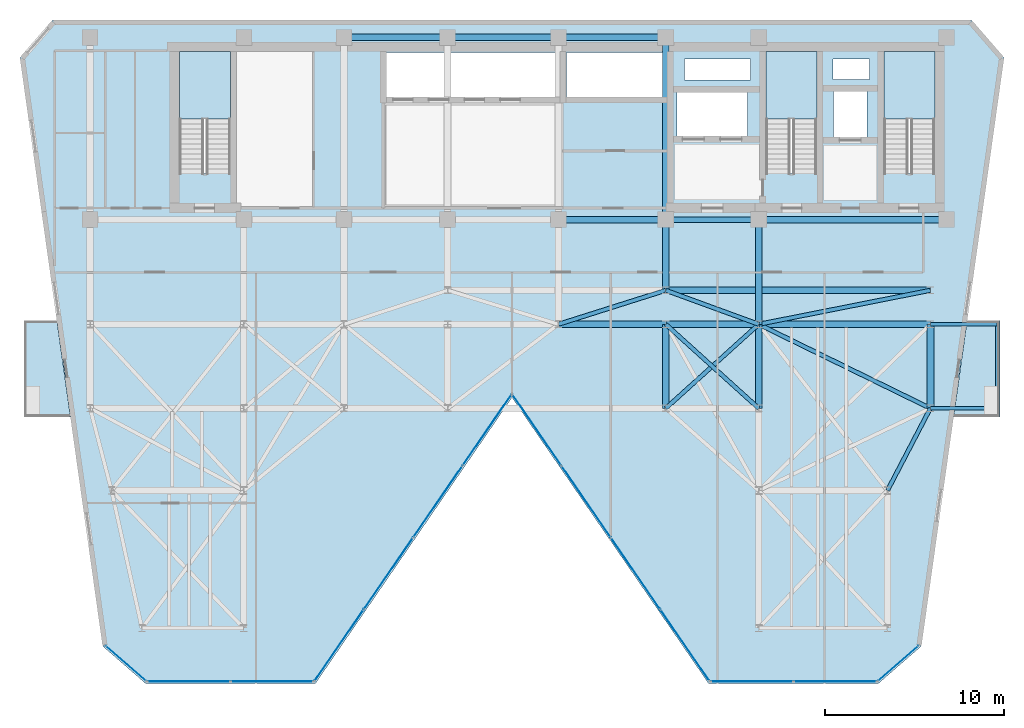
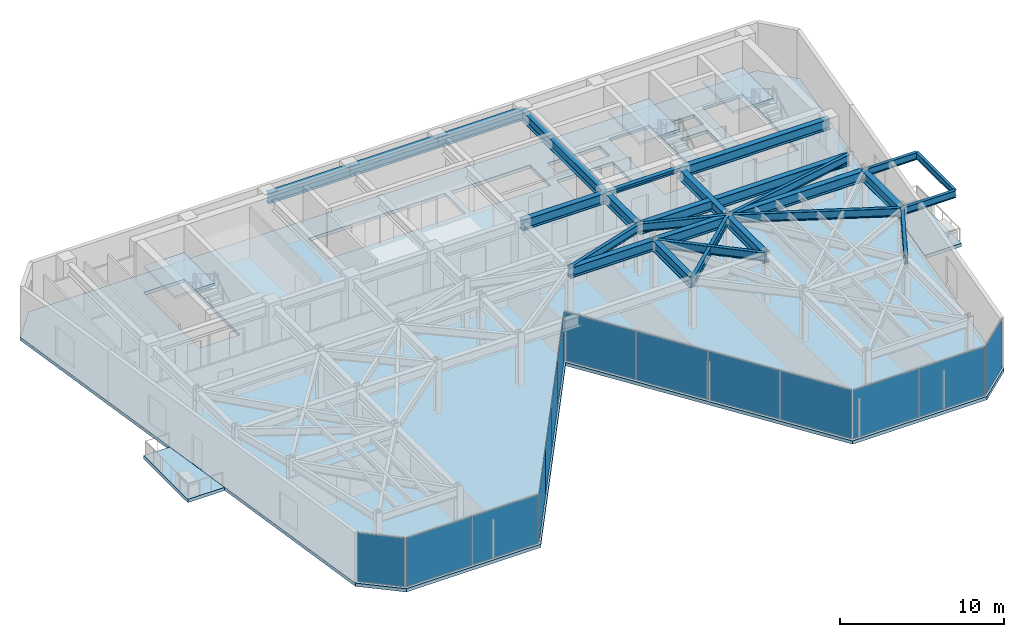
# One storey, part 15 of 21: 26 beams, 14 plates, 6 slabs, 9 elements without a shape of their own.
"""IFC4 building model written with IfcOpenShell, lengths in metres."""

from ifc_helpers import new_model, si_unit, direction, frame, origin, origin_2d, place, context, subcontext, project, spatial, polyline, rectangle, i_section, outline, extrude, material, layer, layer_set, material_profile, profile_set, type_object, element, aggregate, save


model = new_model("IFC4")

# Units and contexts
model_context = context("Model", 3, precision=1e-05, world=origin(), true_north=direction((0.0, 1.0)))
body_context = subcontext(model_context, "Body", "Model", "MODEL_VIEW")
ifc_project = project(units=[si_unit("LENGTHUNIT", "METRE"), si_unit("AREAUNIT", "SQUARE_METRE"), si_unit("VOLUMEUNIT", "CUBIC_METRE"), si_unit("PLANEANGLEUNIT", "RADIAN"), si_unit("MASSUNIT", "GRAM", prefix="KILO")], contexts=[model_context])

# Site, building, storey
site_placement = place(None, origin())
site = spatial("IfcSite", under=ifc_project, at=site_placement, CompositionType="ELEMENT")
building_placement = place(site_placement, origin())
building = spatial("IfcBuilding", under=site, at=building_placement, Name="Kravanh Interchange Tower", CompositionType="ELEMENT")
storey_placement = place(building_placement, frame((0.0, 0.0, 176.5)))
storey = spatial("IfcBuildingStorey", under=building, at=storey_placement, Name="L42", CompositionType="ELEMENT", Elevation=176.5)

# Beams
ifc_material_1 = material(Name="Structural Steel S355", Category="steel")
ifc_material_profile_1 = material_profile(ifc_material_1, i_section(OverallWidth=0.381103515625, OverallDepth=0.77294921875, WebThickness=0.0166015625, FlangeThickness=0.027099609375, FilletRadius=0.02490234375, at=origin_2d()), Name="W30X173")
ifc_profile_set_1 = profile_set([ifc_material_profile_1], Name="Structural Steel S355")
beam_type_1 = type_object("IfcBeamType", Name="Floor Beam W30X173 Structural Steel S355", PredefinedType="BEAM", material=ifc_profile_set_1)
beam_1_placement = place(storey_placement, frame((66.5, 37.35009765625, 3.368408203125), z_axis=(-1.0, 0.0, 0.0), x_axis=(0.0, -1.0, 0.0)))
element("IfcBeam", 1, at=beam_1_placement, inside=storey, type_object=beam_type_1, Name="L42 Primary Floor Girder 5", PredefinedType="BEAM", context=body_context, shape_type="SweptSolid", body=[
    extrude(i_section(OverallWidth=0.381103515625, OverallDepth=0.77294921875, WebThickness=0.0166015625, FlangeThickness=0.027099609375, FilletRadius=0.02490234375, at=origin_2d()), origin(), (0.0, 0.0, 1.0), 10.5),
])
beam_2_placement = place(storey_placement, frame((56.0, 37.35009765625, 3.368408203125), z_axis=(0.0, -1.0, 0.0), x_axis=(1.0, 0.0, 0.0)))
element("IfcBeam", 2, at=beam_2_placement, inside=storey, type_object=beam_type_1, Name="L42 Primary Floor Girder 7", PredefinedType="BEAM", context=body_context, shape_type="SweptSolid", body=[
    extrude(i_section(OverallWidth=0.381103515625, OverallDepth=0.77294921875, WebThickness=0.0166015625, FlangeThickness=0.027099609375, FilletRadius=0.02490234375, at=origin_2d()), origin(), (0.0, 0.0, 1.0), 5.85009765625),
])
beam_3_placement = place(storey_placement, frame((50.800048828125, 47.550048828125, 3.368408203125), z_axis=(-1.0, 0.0, 0.0), x_axis=(0.0, -1.0, 0.0)))
element("IfcBeam", 3, at=beam_3_placement, inside=storey, type_object=beam_type_1, Name="L42 Primary Floor Girder 8", PredefinedType="BEAM", context=body_context, shape_type="SweptSolid", body=[
    extrude(i_section(OverallWidth=0.381103515625, OverallDepth=0.77294921875, WebThickness=0.0166015625, FlangeThickness=0.027099609375, FilletRadius=0.02490234375, at=origin_2d()), origin(), (0.0, 0.0, 1.0), 6.0),
])
beam_4_placement = place(storey_placement, frame((50.800048828125, 47.550048828125, 3.368408203125), z_axis=(0.0, -1.0, 0.0), x_axis=(1.0, 0.0, 0.0)))
element("IfcBeam", 4, at=beam_4_placement, inside=storey, type_object=beam_type_1, Name="L42 Primary Floor Girder 9", PredefinedType="BEAM", context=body_context, shape_type="SweptSolid", body=[
    extrude(i_section(OverallWidth=0.381103515625, OverallDepth=0.77294921875, WebThickness=0.0166015625, FlangeThickness=0.027099609375, FilletRadius=0.02490234375, at=origin_2d()), origin(), (0.0, 0.0, 1.0), 10.199951171875),
])
beam_5_placement = place(storey_placement, frame((50.800048828125, 37.35009765625, 3.368408203125), z_axis=(0.0, -1.0, 0.0), x_axis=(1.0, 0.0, 0.0)))
element("IfcBeam", 5, at=beam_5_placement, inside=storey, type_object=beam_type_1, Name="L42 Primary Floor Girder 10", PredefinedType="BEAM", context=body_context, shape_type="SweptSolid", body=[
    extrude(i_section(OverallWidth=0.381103515625, OverallDepth=0.77294921875, WebThickness=0.0166015625, FlangeThickness=0.027099609375, FilletRadius=0.02490234375, at=origin_2d()), origin(), (0.0, 0.0, 1.0), 3.9501953125),
])
beam_6_placement = place(storey_placement, frame((50.800048828125, 37.35009765625, 3.368408203125), z_axis=(-1.0, 0.0, 0.0), x_axis=(0.0, -1.0, 0.0)))
element("IfcBeam", 6, at=beam_6_placement, inside=storey, type_object=beam_type_1, Name="L42 Primary Floor Girder 11", PredefinedType="BEAM", context=body_context, shape_type="SweptSolid", body=[
    extrude(i_section(OverallWidth=0.381103515625, OverallDepth=0.77294921875, WebThickness=0.0166015625, FlangeThickness=0.027099609375, FilletRadius=0.02490234375, at=origin_2d()), origin(), (0.0, 0.0, 1.0), 6.0),
])
beam_7_placement = place(storey_placement, frame((44.800048828125, 47.550048828125, 3.368408203125), z_axis=(-1.0, 0.0, 0.0), x_axis=(0.0, -1.0, 0.0)))
element("IfcBeam", 7, at=beam_7_placement, inside=storey, type_object=beam_type_1, Name="L42 Primary Floor Girder 15", PredefinedType="BEAM", context=body_context, shape_type="SweptSolid", body=[
    extrude(i_section(OverallWidth=0.381103515625, OverallDepth=0.77294921875, WebThickness=0.0166015625, FlangeThickness=0.027099609375, FilletRadius=0.02490234375, at=origin_2d()), origin(), (0.0, 0.0, 1.0), 6.199951171875),
])
beam_8_placement = place(storey_placement, frame((38.60009765625, 47.550048828125, 3.368408203125), z_axis=(-1.0, 0.0, 0.0), x_axis=(0.0, -1.0, 0.0)))
element("IfcBeam", 8, at=beam_8_placement, inside=storey, type_object=beam_type_1, Name="L42 Primary Floor Girder 19", PredefinedType="BEAM", context=body_context, shape_type="SweptSolid", body=[
    extrude(i_section(OverallWidth=0.381103515625, OverallDepth=0.77294921875, WebThickness=0.0166015625, FlangeThickness=0.027099609375, FilletRadius=0.02490234375, at=origin_2d()), origin(), (0.0, 0.0, 1.0), 5.800048828125),
])
for number, where, z_axis, x_axis, name in (
    (9, (50.800048828125, 26.800048828125, 3.368408203125), (0.0, 1.0, 0.0), (-1.0, 0.0, 0.0), "L42 Primary Floor Girder 49"),
    (10, (56.0, 26.800048828125, 3.368408203125), (0.0, 1.0, 0.0), (-1.0, 0.0, 0.0), "L42 Primary Floor Girder 54"),
    (11, (65.60009765625, 26.800048828125, 3.368408203125), (0.0, 1.0, 0.0), (-1.0, 0.0, 0.0), "L42 Primary Floor Girder 57"),
):
    element("IfcBeam", number, at=place(storey_placement, frame(where, z_axis=z_axis, x_axis=x_axis)), inside=storey, type_object=beam_type_1, Name=name, PredefinedType="BEAM", context=body_context, shape_type="SweptSolid", body=[
        extrude(i_section(OverallWidth=0.381103515625, OverallDepth=0.77294921875, WebThickness=0.0166015625, FlangeThickness=0.027099609375, FilletRadius=0.02490234375, at=origin_2d()), origin(), (0.0, 0.0, 1.0), 4.699951171875),
    ])
beam_9_placement = place(storey_placement, frame((44.800048828125, 31.5, 3.368408203125), z_axis=(1.0, 0.0, 0.0), x_axis=(0.0, 1.0, 0.0)))
element("IfcBeam", 12, at=beam_9_placement, inside=storey, type_object=beam_type_1, Name="L42 Primary Floor Girder 74", PredefinedType="BEAM", context=body_context, shape_type="SweptSolid", body=[
    extrude(i_section(OverallWidth=0.381103515625, OverallDepth=0.77294921875, WebThickness=0.0166015625, FlangeThickness=0.027099609375, FilletRadius=0.02490234375, at=origin_2d()), origin(), (0.0, 0.0, 1.0), 6.0),
])
beam_10_placement = place(storey_placement, frame((50.800048828125, 31.5, 3.368408203125), z_axis=(1.0, 0.0, 0.0), x_axis=(0.0, 1.0, 0.0)))
element("IfcBeam", 13, at=beam_10_placement, inside=storey, type_object=beam_type_1, Name="L42 Primary Floor Girder 77", PredefinedType="BEAM", context=body_context, shape_type="SweptSolid", body=[
    extrude(i_section(OverallWidth=0.381103515625, OverallDepth=0.77294921875, WebThickness=0.0166015625, FlangeThickness=0.027099609375, FilletRadius=0.02490234375, at=origin_2d()), origin(), (0.0, 0.0, 1.0), 5.199951171875),
])
beam_11_placement = place(storey_placement, frame((56.0, 31.5, 3.368408203125), z_axis=(1.0, 0.0, 0.0), x_axis=(0.0, 1.0, 0.0)))
element("IfcBeam", 14, at=beam_11_placement, inside=storey, type_object=beam_type_1, Name="L42 Primary Floor Girder 81", PredefinedType="BEAM", context=body_context, shape_type="SweptSolid", body=[
    extrude(i_section(OverallWidth=0.381103515625, OverallDepth=0.77294921875, WebThickness=0.0166015625, FlangeThickness=0.027099609375, FilletRadius=0.02490234375, at=origin_2d()), origin(), (0.0, 0.0, 1.0), 9.60009765625),
])
beam_12_placement = place(storey_placement, frame((50.800048828125, 33.39990234375, 3.368408203125), z_axis=(1.0, 0.0, 0.0), x_axis=(0.0, 1.0, 0.0)))
element("IfcBeam", 15, at=beam_12_placement, inside=storey, type_object=beam_type_1, Name="L42 Primary Floor Girder 95", PredefinedType="BEAM", context=body_context, shape_type="SweptSolid", body=[
    extrude(i_section(OverallWidth=0.381103515625, OverallDepth=0.77294921875, WebThickness=0.0166015625, FlangeThickness=0.027099609375, FilletRadius=0.02490234375, at=origin_2d()), origin(), (0.0, 0.0, 1.0), 14.800048828125),
])
ifc_material_2 = material(Name="Structural Steel S355", Category="steel")
ifc_material_profile_2 = material_profile(ifc_material_2, i_section(OverallWidth=0.18994140625, OverallDepth=0.45703125, WebThickness=0.009033203125, FlangeThickness=0.014404296875, FilletRadius=0.01806640625, at=origin_2d()), Name="W18X50")
ifc_profile_set_2 = profile_set([ifc_material_profile_2], Name="Structural Steel S355")
beam_type_2 = type_object("IfcBeamType", Name="Floor Joist W18X50 Structural Steel S355", PredefinedType="JOIST", material=ifc_profile_set_2)
beam_13_placement = place(storey_placement, frame((69.330078125, 26.800048828125, 3.526611328125), z_axis=(0.0, 1.0, 0.0), x_axis=(-1.0, 0.0, 0.0)))
element("IfcBeam", 16, at=beam_13_placement, inside=storey, type_object=beam_type_2, Name="L42 Balcony Edge Tie Beam E", PredefinedType="JOIST", context=body_context, shape_type="SweptSolid", body=[
    extrude(i_section(OverallWidth=0.18994140625, OverallDepth=0.45703125, WebThickness=0.009033203125, FlangeThickness=0.014404296875, FilletRadius=0.01806640625, at=origin_2d()), origin(), (0.0, 0.0, 1.0), 4.699951171875),
])
ifc_material_3 = material(Name="Structural Steel S355", Category="steel")
ifc_material_profile_3 = material_profile(ifc_material_3, i_section(OverallWidth=0.304931640625, OverallDepth=0.306884765625, WebThickness=0.010009765625, FlangeThickness=0.015380859375, FilletRadius=0.014892578125, at=origin_2d()), Name="W12X65")
ifc_profile_set_3 = profile_set([ifc_material_profile_3], Name="Structural Steel S355")
beam_type_3 = type_object("IfcBeamType", Name="Floor Lintel W12X65 Structural Steel S355", PredefinedType="LINTEL", material=ifc_profile_set_3)
beam_14_placement = place(storey_placement, frame((50.800048828125, 37.35009765625, 3.6015625), z_axis=(1.0, 0.0, 0.0), x_axis=(0.0, 1.0, 0.0)))
element("IfcBeam", 17, at=beam_14_placement, inside=storey, type_object=beam_type_3, Name="L42 Core Coupling Lintel 1", PredefinedType="LINTEL", context=body_context, shape_type="SweptSolid", body=[
    extrude(i_section(OverallWidth=0.304931640625, OverallDepth=0.306884765625, WebThickness=0.010009765625, FlangeThickness=0.015380859375, FilletRadius=0.014892578125, at=origin_2d()), origin(), (0.0, 0.0, 1.0), 5.199951171875),
])
ifc_material_4 = material(Name="Structural Steel S355", Category="steel")
ifc_material_profile_4 = material_profile(ifc_material_4, i_section(OverallWidth=0.2099609375, OverallDepth=0.537109375, WebThickness=0.010986328125, FlangeThickness=0.017333984375, FilletRadius=0.02001953125, at=origin_2d()), Name="W21X68")
ifc_profile_set_4 = profile_set([ifc_material_profile_4], Name="Structural Steel S355")
beam_type_4 = type_object("IfcBeamType", Name="Floor Spandrel W21X68 Structural Steel S355", PredefinedType="SPANDREL", material=ifc_profile_set_4)
for number, where, z_axis, x_axis, name in (
    (18, (65.60009765625, 26.800048828125, 3.486572265625), (1.0, 0.0, 0.0), (0.0, 1.0, 0.0), "L42 Balcony Cantilever Outrigger E1"),
    (19, (65.60009765625, 31.5, 3.486572265625), (1.0, 0.0, 0.0), (0.0, 1.0, 0.0), "L42 Balcony Cantilever Outrigger E2"),
):
    element("IfcBeam", number, at=place(storey_placement, frame(where, z_axis=z_axis, x_axis=x_axis)), inside=storey, type_object=beam_type_4, Name=name, PredefinedType="SPANDREL", context=body_context, shape_type="SweptSolid", body=[
        extrude(i_section(OverallWidth=0.2099609375, OverallDepth=0.537109375, WebThickness=0.010986328125, FlangeThickness=0.017333984375, FilletRadius=0.02001953125, at=origin_2d()), origin(), (0.0, 0.0, 1.0), 3.72998046875),
    ])
ifc_material_5 = material(Name="Structural Steel S355", Category="steel")
ifc_material_profile_5 = material_profile(ifc_material_5, i_section(OverallWidth=0.22802734375, OverallDepth=0.60791015625, WebThickness=0.01123046875, FlangeThickness=0.017333984375, FilletRadius=0.02197265625, at=origin_2d()), Name="W24X76")
ifc_profile_set_5 = profile_set([ifc_material_profile_5], Name="Structural Steel S355")
beam_type_5 = type_object("IfcBeamType", Name="Floor Spandrel W24X76 Structural Steel S355", PredefinedType="SPANDREL", material=ifc_profile_set_5)
for number, where, z_axis, x_axis, name in (
    (20, (50.800048828125, 26.800048828125, 3.450927734375), (0.741874009795, 0.670539300557, 0.0), (-0.670539300557, 0.741874009795, 0.0), "L42 Perimeter Spandrel 52"),
    (21, (56.0, 26.800048828125, 3.450927734375), (-0.741874009795, 0.670539300557, 0.0), (-0.670539300557, -0.741874009795, 0.0), "L42 Perimeter Spandrel 55"),
):
    element("IfcBeam", number, at=place(storey_placement, frame(where, z_axis=z_axis, x_axis=x_axis)), inside=storey, type_object=beam_type_5, Name=name, PredefinedType="SPANDREL", context=body_context, shape_type="SweptSolid", body=[
        extrude(i_section(OverallWidth=0.22802734375, OverallDepth=0.60791015625, WebThickness=0.01123046875, FlangeThickness=0.017333984375, FilletRadius=0.02197265625, at=origin_2d()), origin(), (0.0, 0.0, 1.0), 7.00927734375),
    ])
beam_15_placement = place(storey_placement, frame((65.60009765625, 26.800048828125, 3.450927734375), z_axis=(-0.462580479178, -0.886577295155, 0.0), x_axis=(0.886577295155, -0.462580479178, 0.0)))
element("IfcBeam", 22, at=beam_15_placement, inside=storey, type_object=beam_type_5, Name="L42 Perimeter Spandrel 58", PredefinedType="SPANDREL", context=body_context, shape_type="SweptSolid", body=[
    extrude(i_section(OverallWidth=0.22802734375, OverallDepth=0.60791015625, WebThickness=0.01123046875, FlangeThickness=0.017333984375, FilletRadius=0.02197265625, at=origin_2d()), origin(), (0.0, 0.0, 1.0), 5.188720703125),
])
beam_16_placement = place(storey_placement, frame((65.60009765625, 26.800048828125, 3.450927734375), z_axis=(-0.898141688387, 0.439706160499, 0.0), x_axis=(-0.439706160499, -0.898141688387, 0.0)))
element("IfcBeam", 23, at=beam_16_placement, inside=storey, type_object=beam_type_5, Name="L42 Perimeter Spandrel 60", PredefinedType="SPANDREL", context=body_context, shape_type="SweptSolid", body=[
    extrude(i_section(OverallWidth=0.22802734375, OverallDepth=0.60791015625, WebThickness=0.01123046875, FlangeThickness=0.017333984375, FilletRadius=0.02197265625, at=origin_2d()), origin(), (0.0, 0.0, 1.0), 10.68896484375),
])
beam_17_placement = place(storey_placement, frame((44.800048828125, 31.5, 3.450927734375), z_axis=(0.953346691051, 0.301877602122, 0.0), x_axis=(-0.301877602122, 0.953346691051, 0.0)))
element("IfcBeam", 24, at=beam_17_placement, inside=storey, type_object=beam_type_5, Name="L42 Perimeter Spandrel 75", PredefinedType="SPANDREL", context=body_context, shape_type="SweptSolid", body=[
    extrude(i_section(OverallWidth=0.22802734375, OverallDepth=0.60791015625, WebThickness=0.01123046875, FlangeThickness=0.017333984375, FilletRadius=0.02197265625, at=origin_2d()), origin(), (0.0, 0.0, 1.0), 6.293701171875),
])
beam_18_placement = place(storey_placement, frame((56.0, 31.5, 3.450927734375), z_axis=(-0.93926957103, 0.343180233896, 0.0), x_axis=(-0.343180233896, -0.93926957103, 0.0)))
element("IfcBeam", 25, at=beam_18_placement, inside=storey, type_object=beam_type_5, Name="L42 Perimeter Spandrel 80", PredefinedType="SPANDREL", context=body_context, shape_type="SweptSolid", body=[
    extrude(i_section(OverallWidth=0.22802734375, OverallDepth=0.60791015625, WebThickness=0.01123046875, FlangeThickness=0.017333984375, FilletRadius=0.02197265625, at=origin_2d()), origin(), (0.0, 0.0, 1.0), 5.5361328125),
])
beam_19_placement = place(storey_placement, frame((56.0, 31.5, 3.450927734375), z_axis=(0.980974000807, 0.194139150457, 0.0), x_axis=(-0.194139150457, 0.980974000807, 0.0)))
element("IfcBeam", 26, at=beam_19_placement, inside=storey, type_object=beam_type_5, Name="L42 Perimeter Spandrel 82", PredefinedType="SPANDREL", context=body_context, shape_type="SweptSolid", body=[
    extrude(i_section(OverallWidth=0.22802734375, OverallDepth=0.60791015625, WebThickness=0.01123046875, FlangeThickness=0.017333984375, FilletRadius=0.02197265625, at=origin_2d()), origin(), (0.0, 0.0, 1.0), 9.786376953125),
])

# Slab
ifc_material_6 = material(Name="Concrete C50/60", Category="concrete")
ifc_layer_1 = layer(ifc_material_6, 0.2451171875)
ifc_layer_set_1 = layer_set([ifc_layer_1], Name="Composite Floor Slab Concrete C50/60 245mm")
slab_type_1 = type_object("IfcSlabType", Name="Composite Floor Slab Concrete C50/60 245mm", PredefinedType="FLOOR", material=ifc_layer_set_1)
slab_1_placement = place(storey_placement, frame((0.0, 0.0, -0.2451171875)))
element("IfcSlab", 27, at=slab_1_placement, inside=storey, type_object=slab_type_1, Name="L42 Structural Floor Slab", PredefinedType="FLOOR", context=body_context, shape_type="SweptSolid", body=[
    extrude(outline(polyline([(19.32177734375, 13.4794921875), (21.714111328125, 11.39990234375), (31.199951171875, 11.39990234375), (42.199951171875, 27.39990234375), (53.199951171875, 11.39990234375), (62.685791015625, 11.39990234375), (65.078125, 13.4794921875), (69.707763671875, 46.42041015625), (67.89990234375, 48.5), (16.5, 48.5), (14.6923828125, 46.42041015625), (19.32177734375, 13.4794921875)]), holes=[polyline([(65.85009765625, 39.925048828125), (65.85009765625, 46.75), (63.0, 46.75), (63.0, 39.925048828125), (65.85009765625, 39.925048828125)]), polyline([(59.25, 39.925048828125), (59.25, 46.75), (56.39990234375, 46.75), (56.39990234375, 39.925048828125), (59.25, 39.925048828125)]), polyline([(26.449951171875, 39.925048828125), (26.449951171875, 46.75), (23.60009765625, 46.75), (23.60009765625, 39.925048828125), (26.449951171875, 39.925048828125)]), polyline([(35.179931640625, 44.219970703125), (44.840087890625, 44.219970703125), (44.840087890625, 46.699951171875), (35.179931640625, 46.699951171875), (35.179931640625, 44.219970703125)]), polyline([(45.239990234375, 44.219970703125), (50.840087890625, 44.219970703125), (50.840087890625, 46.699951171875), (45.239990234375, 46.699951171875), (45.239990234375, 44.219970703125)]), polyline([(51.419921875, 42.02001953125), (55.3798828125, 42.02001953125), (55.3798828125, 44.47998046875), (51.419921875, 44.47998046875), (51.419921875, 42.02001953125)]), polyline([(60.179931640625, 41.97998046875), (62.06005859375, 41.97998046875), (62.06005859375, 44.52001953125), (60.179931640625, 44.52001953125), (60.179931640625, 41.97998046875)]), polyline([(60.14990234375, 45.199951171875), (62.199951171875, 45.199951171875), (62.199951171875, 46.35009765625), (60.14990234375, 46.35009765625), (60.14990234375, 45.199951171875)]), polyline([(51.85009765625, 45.14990234375), (55.550048828125, 45.14990234375), (55.550048828125, 46.35009765625), (51.85009765625, 46.35009765625), (51.85009765625, 45.14990234375)])]), origin(), (0.0, 0.0, 1.0), 0.2451171875),
])

# Stair, slab
ifc_material_7 = material(Name="Concrete C50/60", Category="concrete")
stair_type = type_object("IfcStairType", Name="Core Fire Exit Dogleg Stair Concrete C50/60", PredefinedType="HALF_TURN_STAIR", material=ifc_material_7)
stair_1_placement = place(storey_placement, origin())
stair_1 = element("IfcStair", 28, at=stair_1_placement, inside=storey, type_object=stair_type, Name="L42 Exit Stair ST1", PredefinedType="HALF_TURN_STAIR")
ifc_material_8 = material(Name="Concrete C50/60", Category="concrete")
ifc_layer_2 = layer(ifc_material_8, 0.199951171875)
ifc_layer_set_2 = layer_set([ifc_layer_2], Name="Concrete C50/60 Stair Half-Landing Slab 200mm")
slab_type_2 = type_object("IfcSlabType", Name="Concrete C50/60 Stair Half-Landing Slab 200mm", PredefinedType="LANDING", material=ifc_layer_set_2)
slab_2_placement = place(storey_placement, frame((0.0, 0.0, 1.800048828125)))
slab_2 = element("IfcSlab", 29, at=slab_2_placement, type_object=slab_type_2, Name="ST1 landing 1", PredefinedType="LANDING", context=body_context, shape_type="SweptSolid", body=[
    extrude(outline(polyline([(65.85009765625, 42.97998046875), (65.85009765625, 46.75), (63.0, 46.75), (63.0, 42.97998046875), (65.85009765625, 42.97998046875)])), origin(), (0.0, 0.0, 1.0), 0.199951171875),
])
aggregate(stair_1, [slab_2])

stair_2_placement = place(storey_placement, origin())
stair_2 = element("IfcStair", 30, at=stair_2_placement, inside=storey, type_object=stair_type, Name="L42 Exit Stair ST2", PredefinedType="HALF_TURN_STAIR")
slab_3_placement = place(storey_placement, frame((0.0, 0.0, 1.800048828125)))
slab_3 = element("IfcSlab", 31, at=slab_3_placement, type_object=slab_type_2, Name="ST2 landing 1", PredefinedType="LANDING", context=body_context, shape_type="SweptSolid", body=[
    extrude(outline(polyline([(59.25, 42.97998046875), (59.25, 46.75), (56.39990234375, 46.75), (56.39990234375, 42.97998046875), (59.25, 42.97998046875)])), origin(), (0.0, 0.0, 1.0), 0.199951171875),
])
aggregate(stair_2, [slab_3])

stair_3_placement = place(storey_placement, origin())
stair_3 = element("IfcStair", 32, at=stair_3_placement, inside=storey, type_object=stair_type, Name="L42 Exit Stair ST3", PredefinedType="HALF_TURN_STAIR")
slab_4_placement = place(storey_placement, frame((0.0, 0.0, 1.800048828125)))
slab_4 = element("IfcSlab", 33, at=slab_4_placement, type_object=slab_type_2, Name="ST3 landing 1", PredefinedType="LANDING", context=body_context, shape_type="SweptSolid", body=[
    extrude(outline(polyline([(26.449951171875, 42.97998046875), (26.449951171875, 46.75), (23.60009765625, 46.75), (23.60009765625, 42.97998046875), (26.449951171875, 42.97998046875)])), origin(), (0.0, 0.0, 1.0), 0.199951171875),
])
aggregate(stair_3, [slab_4])

# Curtain wall, plate
ifc_material_9 = material(Name="Anodised Bronze Aluminium", Category="aluminium")
ifc_layer_3 = layer(ifc_material_9, 0.179931640625)
ifc_layer_set_3 = layer_set([ifc_layer_3], Name="Unitised Curtain Wall System CW-Z3 Upper Office")
curtain_wall_type = type_object("IfcCurtainWallType", Name="Unitised Curtain Wall System CW-Z3 Upper Office", PredefinedType="NOTDEFINED", material=ifc_layer_set_3)
curtain_wall_1_placement = place(storey_placement, origin())
curtain_wall_1 = element("IfcCurtainWall", 34, at=curtain_wall_1_placement, inside=storey, type_object=curtain_wall_type, Name="L42 Unitised Curtain Wall CW-L42-01", PredefinedType="NOTDEFINED")
ifc_material_10 = material(Name="Low-E Laminated Architectural Glass", Category="glass")
ifc_layer_4 = layer(ifc_material_10, 0.02392578125)
ifc_layer_set_4 = layer_set([ifc_layer_4], Name="High-Selectivity Double Glazing 24mm")
plate_type = type_object("IfcPlateType", Name="High-Selectivity Double Glazing 24mm", PredefinedType="CURTAIN_PANEL", material=ifc_layer_set_4)
plate_1_placement = place(storey_placement, frame((63.80322265625, 12.5302734375, 0.06005859375), z_axis=(0.0, 0.0, 1.0), x_axis=(-0.754716645379, -0.65605090137, 0.0)))
plate_1 = element("IfcPlate", 35, at=plate_1_placement, type_object=plate_type, Name="CW-Z3 panel 1.1", PredefinedType="CURTAIN_PANEL", context=body_context, shape_type="SweptSolid", body=[
    extrude(rectangle(XDim=2.960205078125, YDim=0.02392578125, at=origin_2d()), origin(), (0.0, 0.0, 1.0), 3.635009765625),
])
aggregate(curtain_wall_1, [plate_1])

# Curtain wall, plates
curtain_wall_2_placement = place(storey_placement, origin())
curtain_wall_2 = element("IfcCurtainWall", 36, at=curtain_wall_2_placement, inside=storey, type_object=curtain_wall_type, Name="L42 Unitised Curtain Wall CW-L42-02", PredefinedType="NOTDEFINED")
plate_2_placement = place(storey_placement, frame((60.281494140625, 11.52001953125, 0.06005859375), z_axis=(0.0, 0.0, 1.0), x_axis=(-1.0, 0.0, 0.0)))
plate_2 = element("IfcPlate", 37, at=plate_2_placement, type_object=plate_type, Name="CW-Z3 panel 1.1", PredefinedType="CURTAIN_PANEL", context=body_context, shape_type="SweptSolid", body=[
    extrude(rectangle(XDim=4.598876953125, YDim=0.02392578125, at=origin_2d()), origin(), (0.0, 0.0, 1.0), 3.635009765625),
])
plate_3_placement = place(storey_placement, frame((55.62255859375, 11.52001953125, 0.06005859375), z_axis=(0.0, 0.0, 1.0), x_axis=(-1.0, 0.0, 0.0)))
plate_3 = element("IfcPlate", 38, at=plate_3_placement, type_object=plate_type, Name="CW-Z3 panel 2.1", PredefinedType="CURTAIN_PANEL", context=body_context, shape_type="SweptSolid", body=[
    extrude(rectangle(XDim=4.598876953125, YDim=0.02392578125, at=origin_2d()), origin(), (0.0, 0.0, 1.0), 3.635009765625),
])
aggregate(curtain_wall_2, [plate_2, plate_3])

curtain_wall_3_placement = place(storey_placement, origin())
curtain_wall_3 = element("IfcCurtainWall", 39, at=curtain_wall_3_placement, inside=storey, type_object=curtain_wall_type, Name="L42 Unitised Curtain Wall CW-L42-03", PredefinedType="NOTDEFINED")
plate_4_placement = place(storey_placement, frame((51.871826171875, 13.5439453125, 0.06005859375), z_axis=(0.0, 0.0, 1.0), x_axis=(-0.566528388217, 0.824042223035, 0.0)))
plate_4 = element("IfcPlate", 40, at=plate_4_placement, type_object=plate_type, Name="CW-Z3 panel 1.1", PredefinedType="CURTAIN_PANEL", context=body_context, shape_type="SweptSolid", body=[
    extrude(rectangle(XDim=4.7919921875, YDim=0.02392578125, at=origin_2d()), origin(), (0.0, 0.0, 1.0), 3.635009765625),
])
plate_5_placement = place(storey_placement, frame((49.114501953125, 17.554443359375, 0.06005859375), z_axis=(0.0, 0.0, 1.0), x_axis=(-0.566528388217, 0.824042223035, 0.0)))
plate_5 = element("IfcPlate", 41, at=plate_5_placement, type_object=plate_type, Name="CW-Z3 panel 2.1", PredefinedType="CURTAIN_PANEL", context=body_context, shape_type="SweptSolid", body=[
    extrude(rectangle(XDim=4.822021484375, YDim=0.02392578125, at=origin_2d()), origin(), (0.0, 0.0, 1.0), 3.635009765625),
])
plate_6_placement = place(storey_placement, frame((46.3486328125, 21.577392578125, 0.06005859375), z_axis=(0.0, 0.0, 1.0), x_axis=(-0.566528388217, 0.824042223035, 0.0)))
plate_6 = element("IfcPlate", 42, at=plate_6_placement, type_object=plate_type, Name="CW-Z3 panel 3.1", PredefinedType="CURTAIN_PANEL", context=body_context, shape_type="SweptSolid", body=[
    extrude(rectangle(XDim=4.822021484375, YDim=0.02392578125, at=origin_2d()), origin(), (0.0, 0.0, 1.0), 3.635009765625),
])
plate_7_placement = place(storey_placement, frame((43.59130859375, 25.587890625, 0.06005859375), z_axis=(0.0, 0.0, 1.0), x_axis=(-0.566528388217, 0.824042223035, 0.0)))
plate_7 = element("IfcPlate", 43, at=plate_7_placement, type_object=plate_type, Name="CW-Z3 panel 4.1", PredefinedType="CURTAIN_PANEL", context=body_context, shape_type="SweptSolid", body=[
    extrude(rectangle(XDim=4.7919921875, YDim=0.02392578125, at=origin_2d()), origin(), (0.0, 0.0, 1.0), 3.635009765625),
])
aggregate(curtain_wall_3, [plate_4, plate_5, plate_6, plate_7])

curtain_wall_4_placement = place(storey_placement, origin())
curtain_wall_4 = element("IfcCurtainWall", 44, at=curtain_wall_4_placement, inside=storey, type_object=curtain_wall_type, Name="L42 Unitised Curtain Wall CW-L42-04", PredefinedType="NOTDEFINED")
plate_8_placement = place(storey_placement, frame((40.80859375, 25.587890625, 0.06005859375), z_axis=(0.0, 0.0, 1.0), x_axis=(-0.566528388217, -0.824042223035, 0.0)))
plate_8 = element("IfcPlate", 45, at=plate_8_placement, type_object=plate_type, Name="CW-Z3 panel 1.1", PredefinedType="CURTAIN_PANEL", context=body_context, shape_type="SweptSolid", body=[
    extrude(rectangle(XDim=4.7919921875, YDim=0.02392578125, at=origin_2d()), origin(), (0.0, 0.0, 1.0), 3.635009765625),
])
plate_9_placement = place(storey_placement, frame((38.05126953125, 21.577392578125, 0.06005859375), z_axis=(0.0, 0.0, 1.0), x_axis=(-0.566528388217, -0.824042223035, 0.0)))
plate_9 = element("IfcPlate", 46, at=plate_9_placement, type_object=plate_type, Name="CW-Z3 panel 2.1", PredefinedType="CURTAIN_PANEL", context=body_context, shape_type="SweptSolid", body=[
    extrude(rectangle(XDim=4.822021484375, YDim=0.02392578125, at=origin_2d()), origin(), (0.0, 0.0, 1.0), 3.635009765625),
])
plate_10_placement = place(storey_placement, frame((35.28564453125, 17.554443359375, 0.06005859375), z_axis=(0.0, 0.0, 1.0), x_axis=(-0.566528388217, -0.824042223035, 0.0)))
plate_10 = element("IfcPlate", 47, at=plate_10_placement, type_object=plate_type, Name="CW-Z3 panel 3.1", PredefinedType="CURTAIN_PANEL", context=body_context, shape_type="SweptSolid", body=[
    extrude(rectangle(XDim=4.822021484375, YDim=0.02392578125, at=origin_2d()), origin(), (0.0, 0.0, 1.0), 3.635009765625),
])
plate_11_placement = place(storey_placement, frame((32.5283203125, 13.5439453125, 0.06005859375), z_axis=(0.0, 0.0, 1.0), x_axis=(-0.566528388217, -0.824042223035, 0.0)))
plate_11 = element("IfcPlate", 48, at=plate_11_placement, type_object=plate_type, Name="CW-Z3 panel 4.1", PredefinedType="CURTAIN_PANEL", context=body_context, shape_type="SweptSolid", body=[
    extrude(rectangle(XDim=4.7919921875, YDim=0.02392578125, at=origin_2d()), origin(), (0.0, 0.0, 1.0), 3.635009765625),
])
aggregate(curtain_wall_4, [plate_8, plate_9, plate_10, plate_11])

curtain_wall_5_placement = place(storey_placement, origin())
curtain_wall_5 = element("IfcCurtainWall", 49, at=curtain_wall_5_placement, inside=storey, type_object=curtain_wall_type, Name="L42 Unitised Curtain Wall CW-L42-05", PredefinedType="NOTDEFINED")
plate_12_placement = place(storey_placement, frame((28.77734375, 11.52001953125, 0.06005859375), z_axis=(0.0, 0.0, 1.0), x_axis=(-1.0, 0.0, 0.0)))
plate_12 = element("IfcPlate", 50, at=plate_12_placement, type_object=plate_type, Name="CW-Z3 panel 1.1", PredefinedType="CURTAIN_PANEL", context=body_context, shape_type="SweptSolid", body=[
    extrude(rectangle(XDim=4.598876953125, YDim=0.02392578125, at=origin_2d()), origin(), (0.0, 0.0, 1.0), 3.635009765625),
])
plate_13_placement = place(storey_placement, frame((24.118408203125, 11.52001953125, 0.06005859375), z_axis=(0.0, 0.0, 1.0), x_axis=(-1.0, 0.0, 0.0)))
plate_13 = element("IfcPlate", 51, at=plate_13_placement, type_object=plate_type, Name="CW-Z3 panel 2.1", PredefinedType="CURTAIN_PANEL", context=body_context, shape_type="SweptSolid", body=[
    extrude(rectangle(XDim=4.598876953125, YDim=0.02392578125, at=origin_2d()), origin(), (0.0, 0.0, 1.0), 3.635009765625),
])
aggregate(curtain_wall_5, [plate_12, plate_13])

# Curtain wall, plate
curtain_wall_6_placement = place(storey_placement, origin())
curtain_wall_6 = element("IfcCurtainWall", 52, at=curtain_wall_6_placement, inside=storey, type_object=curtain_wall_type, Name="L42 Unitised Curtain Wall CW-L42-06", PredefinedType="NOTDEFINED")
plate_14_placement = place(storey_placement, frame((20.5966796875, 12.5302734375, 0.06005859375), z_axis=(0.0, 0.0, 1.0), x_axis=(-0.754716645379, 0.65605090137, 0.0)))
plate_14 = element("IfcPlate", 53, at=plate_14_placement, type_object=plate_type, Name="CW-Z3 panel 1.1", PredefinedType="CURTAIN_PANEL", context=body_context, shape_type="SweptSolid", body=[
    extrude(rectangle(XDim=2.960205078125, YDim=0.02392578125, at=origin_2d()), origin(), (0.0, 0.0, 1.0), 3.635009765625),
])
aggregate(curtain_wall_6, [plate_14])

# Slabs
ifc_material_11 = material(Name="Concrete C50/60", Category="concrete")
ifc_layer_5 = layer(ifc_material_11, 0.199951171875)
ifc_layer_set_5 = layer_set([ifc_layer_5], Name="Planted Tree Balcony Slab Concrete C50/60 200mm")
slab_type_3 = type_object("IfcSlabType", Name="Planted Tree Balcony Slab Concrete C50/60 200mm", PredefinedType="USERDEFINED", material=ifc_layer_set_5)
slab_5_placement = place(storey_placement, frame((0.0, 0.0, -0.2451171875)))
element("IfcSlab", 54, at=slab_5_placement, inside=storey, type_object=slab_type_3, Name="L42 East Tree Planter Balcony Slab", ObjectType="BALCONY", PredefinedType="USERDEFINED", context=body_context, shape_type="SweptSolid", body=[
    extrude(outline(polyline([(69.489990234375, 31.7099609375), (69.489990234375, 26.31005859375), (66.896484375, 26.31005859375), (67.655517578125, 31.7099609375), (69.489990234375, 31.7099609375)])), origin(), (0.0, 0.0, 1.0), 0.2451171875),
])
slab_6_placement = place(storey_placement, frame((0.0, 0.0, -0.2451171875)))
element("IfcSlab", 55, at=slab_6_placement, inside=storey, type_object=slab_type_3, Name="L42 West Tree Planter Balcony Slab", ObjectType="BALCONY", PredefinedType="USERDEFINED", context=body_context, shape_type="SweptSolid", body=[
    extrude(outline(polyline([(14.909912109375, 26.31005859375), (14.909912109375, 31.7099609375), (16.74462890625, 31.7099609375), (17.50341796875, 26.31005859375), (14.909912109375, 26.31005859375)])), origin(), (0.0, 0.0, 1.0), 0.2451171875),
])

save(model, "model.ifc")
